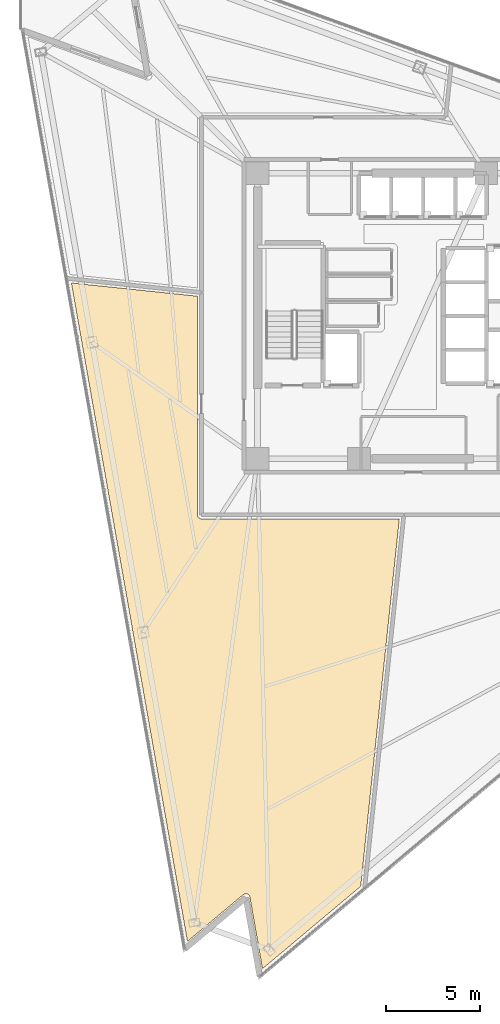
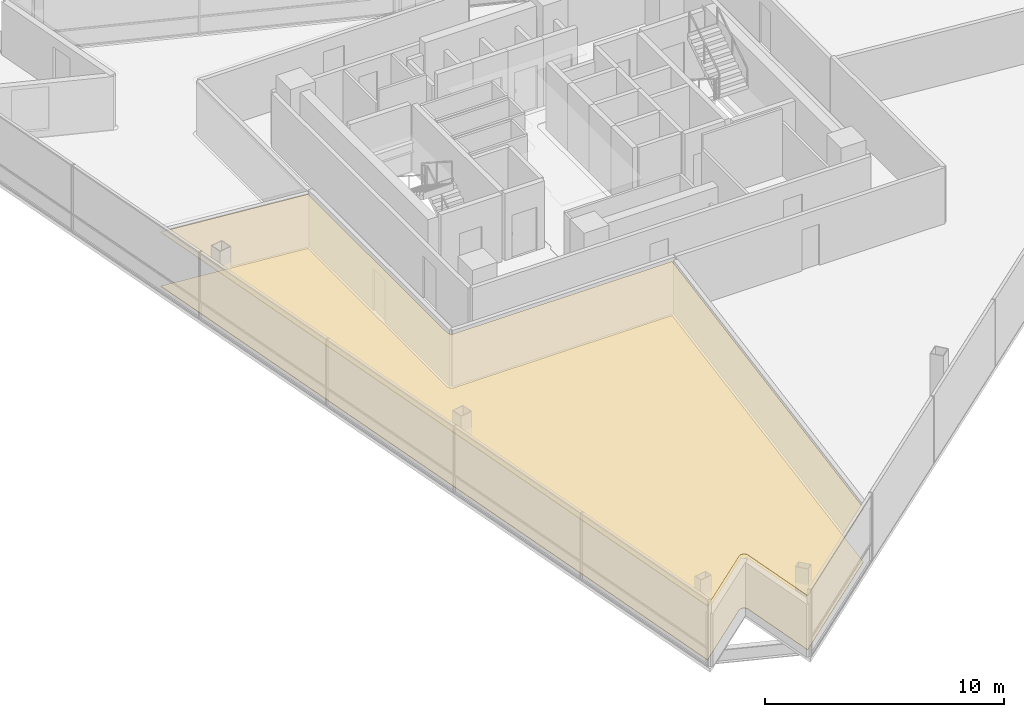
# One storey, part 13 of 17: 2 coverings.
"""IFC4 building model written with IfcOpenShell, lengths in metres."""

from ifc_helpers import new_model, si_unit, direction, frame, origin, place, context, subcontext, project, spatial, polyline, outline, extrude, material, layer, layer_set, type_object, element, save


model = new_model("IFC4")

# Units and contexts
model_context = context("Model", 3, precision=1e-05, world=origin(), true_north=direction((0.0, 1.0)))
body_context = subcontext(model_context, "Body", "Model", "MODEL_VIEW")
ifc_project = project(units=[si_unit("LENGTHUNIT", "METRE"), si_unit("AREAUNIT", "SQUARE_METRE"), si_unit("VOLUMEUNIT", "CUBIC_METRE"), si_unit("PLANEANGLEUNIT", "RADIAN"), si_unit("MASSUNIT", "GRAM", prefix="KILO")], contexts=[model_context])

# Site, building, storey
site_placement = place(None, origin())
site = spatial("IfcSite", under=ifc_project, at=site_placement, CompositionType="ELEMENT")
building_placement = place(site_placement, origin())
building = spatial("IfcBuilding", under=site, at=building_placement, Name="Tharavind Bronze Gate", CompositionType="ELEMENT")
storey_placement = place(building_placement, frame((0.0, 0.0, 184.89990234375)))
storey = spatial("IfcBuildingStorey", under=building, at=storey_placement, Name="L47", CompositionType="ELEMENT", Elevation=184.89990234375)

# Coverings
ifc_material_1 = material(Name="Engineered Oak & Carpet Tile", Category="wood")
ifc_layer_1 = layer(ifc_material_1, 0.02490234375)
ifc_layer_set_1 = layer_set([ifc_layer_1], Name="Engineered Oak & Carpet Tile")
covering_type_1 = type_object("IfcCoveringType", Name="ENGINEERED TIMBER FLOORING", PredefinedType="FLOORING", material=ifc_layer_set_1)
covering_1_placement = place(storey_placement, origin())
element("IfcCovering", 1, at=covering_1_placement, inside=storey, type_object=covering_type_1, Name="L47-RM-02 floor finish", PredefinedType="FLOORING", context=body_context, shape_type="SweptSolid", body=[
    extrude(outline(polyline([(-12.626220703125, -33.2802734375), (-9.66455078125, -30.795166015625), (-9.656005859375, -30.7880859375), (-9.655517578125, -30.787841796875), (-9.63720703125, -30.775390625), (-9.6181640625, -30.764892578125), (-9.597900390625, -30.756591796875), (-9.576904296875, -30.75), (-9.555419921875, -30.74560546875), (-9.53369140625, -30.743408203125), (-9.51171875, -30.743408203125), (-9.48974609375, -30.74560546875), (-9.46826171875, -30.75), (-9.447509765625, -30.756591796875), (-9.42724609375, -30.764892578125), (-9.407958984375, -30.775390625), (-9.389892578125, -30.787841796875), (-9.373046875, -30.802001953125), (-9.357666015625, -30.817626953125), (-9.343994140625, -30.834716796875), (-9.33203125, -30.853271484375), (-9.322021484375, -30.872802734375), (-9.314208984375, -30.893310546875), (-9.30810546875, -30.914306640625), (-9.30810546875, -30.914794921875), (-9.305908203125, -30.925537109375), (-8.634521484375, -34.733154296875), (-3.4111328125, -30.350341796875), (-1.356201171875, -10.800048828125), (-11.87939453125, -10.800048828125), (-11.89013671875, -10.7998046875), (-11.890869140625, -10.7998046875), (-11.912353515625, -10.797607421875), (-11.933349609375, -10.79345703125), (-11.9541015625, -10.787109375), (-11.97412109375, -10.77880859375), (-11.9931640625, -10.768798828125), (-12.010986328125, -10.756591796875), (-12.027587890625, -10.742919921875), (-12.04296875, -10.727783203125), (-12.056640625, -10.7109375), (-12.068603515625, -10.693115234375), (-12.078857421875, -10.674072265625), (-12.087158203125, -10.654052734375), (-12.093505859375, -10.63330078125), (-12.09765625, -10.6123046875), (-12.099609375, -10.5908203125), (-12.099609375, -10.590087890625), (-12.10009765625, -10.579345703125), (-12.10009765625, 1.050537109375), (-18.803955078125, 1.755126953125), (-12.626220703125, -33.2802734375)])), origin(), (0.0, 0.0, 1.0), 0.025146484375),
])
ifc_material_2 = material(Name="Acoustic Gypsum Board", Category="gypsum")
ifc_layer_2 = layer(ifc_material_2, 0.030029296875)
ifc_layer_set_2 = layer_set([ifc_layer_2], Name="Acoustic Gypsum Board")
covering_type_2 = type_object("IfcCoveringType", Name="GYPSUM SUSPENDED CEILING", PredefinedType="CEILING", material=ifc_layer_set_2)
covering_2_placement = place(storey_placement, frame((0.0, 0.0, 2.75)))
element("IfcCovering", 2, at=covering_2_placement, inside=storey, type_object=covering_type_2, Name="L47-RM-02 suspended ceiling", PredefinedType="CEILING", context=body_context, shape_type="SweptSolid", body=[
    extrude(outline(polyline([(-12.626220703125, -33.2802734375), (-9.66455078125, -30.795166015625), (-9.656005859375, -30.7880859375), (-9.655517578125, -30.787841796875), (-9.63720703125, -30.775390625), (-9.6181640625, -30.764892578125), (-9.597900390625, -30.756591796875), (-9.576904296875, -30.75), (-9.555419921875, -30.74560546875), (-9.53369140625, -30.743408203125), (-9.51171875, -30.743408203125), (-9.48974609375, -30.74560546875), (-9.46826171875, -30.75), (-9.447509765625, -30.756591796875), (-9.42724609375, -30.764892578125), (-9.407958984375, -30.775390625), (-9.389892578125, -30.787841796875), (-9.373046875, -30.802001953125), (-9.357666015625, -30.817626953125), (-9.343994140625, -30.834716796875), (-9.33203125, -30.853271484375), (-9.322021484375, -30.872802734375), (-9.314208984375, -30.893310546875), (-9.30810546875, -30.914306640625), (-9.30810546875, -30.914794921875), (-9.305908203125, -30.925537109375), (-8.634521484375, -34.733154296875), (-3.4111328125, -30.350341796875), (-1.356201171875, -10.800048828125), (-11.87939453125, -10.800048828125), (-11.89013671875, -10.7998046875), (-11.890869140625, -10.7998046875), (-11.912353515625, -10.797607421875), (-11.933349609375, -10.79345703125), (-11.9541015625, -10.787109375), (-11.97412109375, -10.77880859375), (-11.9931640625, -10.768798828125), (-12.010986328125, -10.756591796875), (-12.027587890625, -10.742919921875), (-12.04296875, -10.727783203125), (-12.056640625, -10.7109375), (-12.068603515625, -10.693115234375), (-12.078857421875, -10.674072265625), (-12.087158203125, -10.654052734375), (-12.093505859375, -10.63330078125), (-12.09765625, -10.6123046875), (-12.099609375, -10.5908203125), (-12.099609375, -10.590087890625), (-12.10009765625, -10.579345703125), (-12.10009765625, 1.050537109375), (-18.803955078125, 1.755126953125), (-12.626220703125, -33.2802734375)])), origin(), (0.0, 0.0, 1.0), 0.03515625),
])

save(model, "model.ifc")
